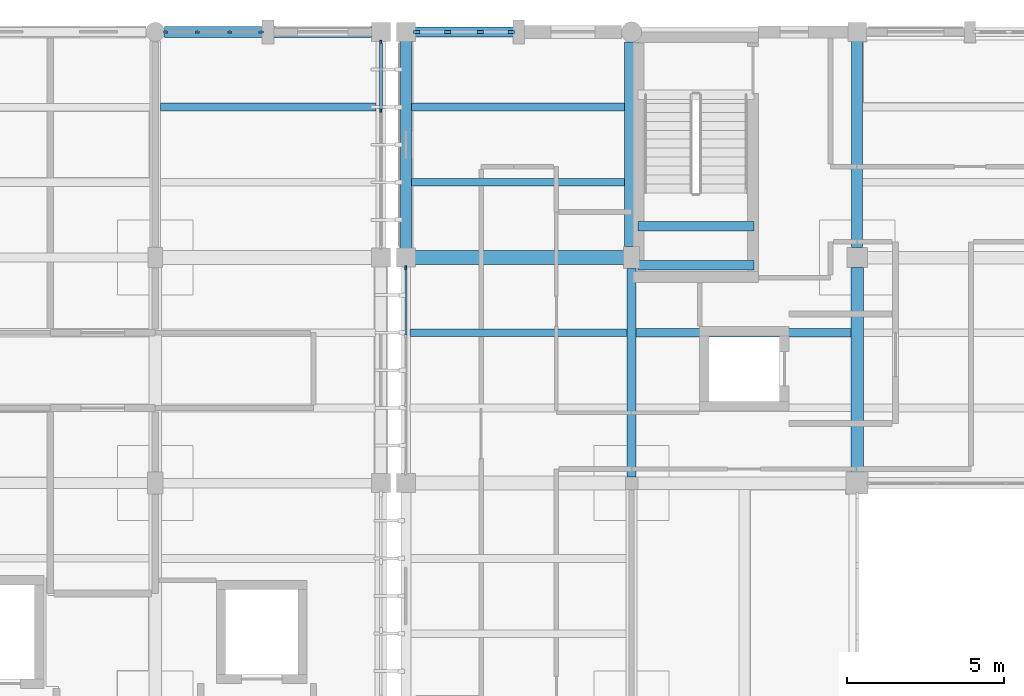
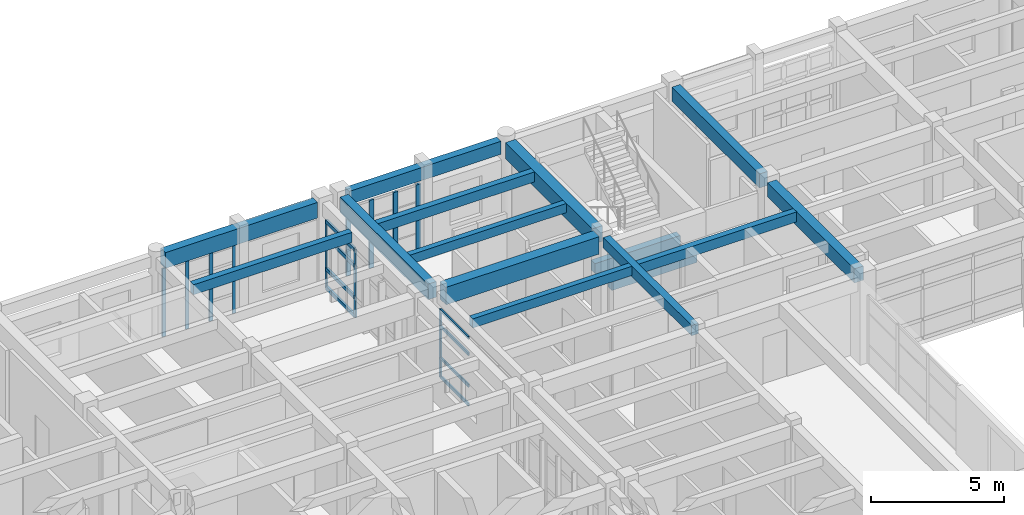
# One storey, part 23 of 100: 19 members, 15 beams, 4 elements without a shape of their own.
"""IFC4 building model written with IfcOpenShell, lengths in metres."""

from ifc_helpers import new_model, si_unit, direction, frame, origin, origin_2d, place, context, subcontext, project, spatial, rectangle, extrude, material, material_profile, profile_set, type_object, element, aggregate, save


model = new_model("IFC4")

# Units and contexts
model_context = context("Model", 3, precision=1e-05, world=origin(), true_north=direction((0.0, 1.0)))
body_context = subcontext(model_context, "Body", "Model", "MODEL_VIEW")
ifc_project = project(units=[si_unit("LENGTHUNIT", "METRE"), si_unit("AREAUNIT", "SQUARE_METRE"), si_unit("VOLUMEUNIT", "CUBIC_METRE"), si_unit("PLANEANGLEUNIT", "RADIAN"), si_unit("MASSUNIT", "GRAM", prefix="KILO")], contexts=[model_context])

# Site, building, storey
site_placement = place(None, origin())
site = spatial("IfcSite", under=ifc_project, at=site_placement, CompositionType="ELEMENT")
building_placement = place(site_placement, origin())
building = spatial("IfcBuilding", under=site, at=building_placement, Name="Steenspoor Specialist Clinic", CompositionType="ELEMENT")
storey_placement = place(building_placement, frame((0.0, 0.0, 9.0)))
storey = spatial("IfcBuildingStorey", under=building, at=storey_placement, Name="L02", CompositionType="ELEMENT", Elevation=9.0)

# Beams
ifc_material_1 = material(Name="Concrete C35/45", Category="concrete")
ifc_material_profile_1 = material_profile(ifc_material_1, rectangle(XDim=0.300048828125, YDim=0.47998046875, at=origin_2d()), Name="RC-BM-300X480")
ifc_profile_set_1 = profile_set([ifc_material_profile_1], Name="Concrete C35/45")
beam_type_1 = type_object("IfcBeamType", Name="BM-RC-300X480", PredefinedType="BEAM", material=ifc_profile_set_1)
for number, where, z_axis, x_axis, name in (
    (1, (59.800048828125, 102.14990234375, 1.659912109375), (1.0, 0.0, 0.0), (0.0, 1.0, 0.0), "Stair Mid-Landing Bearer 1 ST-V4A L02"),
    (2, (59.800048828125, 100.89990234375, 1.659912109375), (1.0, 0.0, 0.0), (0.0, 1.0, 0.0), "Stair Mid-Landing Bearer 2 ST-V4A L02"),
):
    element("IfcBeam", number, at=place(storey_placement, frame(where, z_axis=z_axis, x_axis=x_axis)), inside=storey, type_object=beam_type_1, Name=name, PredefinedType="BEAM", context=body_context, shape_type="SweptSolid", body=[
        extrude(rectangle(XDim=0.300048828125, YDim=0.47998046875, at=origin_2d()), origin(), (0.0, 0.0, 1.0), 3.699951171875),
    ])
beam_1_placement = place(storey_placement, frame((59.60009765625, 94.14501953125, 3.7099609375), z_axis=(0.0, 1.0, 0.0), x_axis=(-1.0, 0.0, 0.0)))
element("IfcBeam", 3, at=beam_1_placement, inside=storey, type_object=beam_type_1, Name="BM-V4-L02-Y0695", PredefinedType="BEAM", context=body_context, shape_type="SweptSolid", body=[
    extrude(rectangle(XDim=0.300048828125, YDim=0.47998046875, at=origin_2d()), origin(), (0.0, 0.0, 1.0), 6.659912109375),
])
ifc_material_profile_2 = material_profile(ifc_material_1, rectangle(XDim=0.35009765625, YDim=0.64990234375, at=origin_2d()), Name="RC-BM-350X650")
ifc_profile_set_2 = profile_set([ifc_material_profile_2], Name="Concrete C35/45")
beam_type_2 = type_object("IfcBeamType", Name="BM-RC-350X650", PredefinedType="BEAM", material=ifc_profile_set_2)
beam_2_placement = place(storey_placement, frame((66.800048828125, 101.469970703125, 3.625), z_axis=(0.0, 1.0, 0.0), x_axis=(-1.0, 0.0, 0.0)))
element("IfcBeam", 4, at=beam_2_placement, inside=storey, type_object=beam_type_2, Name="BM-V4-L02-Y0700", PredefinedType="BEAM", context=body_context, shape_type="SweptSolid", body=[
    extrude(rectangle(XDim=0.35009765625, YDim=0.64990234375, at=origin_2d()), origin(), (0.0, 0.0, 1.0), 6.5849609375),
])
ifc_material_profile_3 = material_profile(ifc_material_1, rectangle(XDim=0.39990234375, YDim=0.64990234375, at=origin_2d()), Name="RC-BM-400X650")
ifc_profile_set_3 = profile_set([ifc_material_profile_3], Name="Concrete C35/45")
beam_type_3 = type_object("IfcBeamType", Name="BM-RC-400X650", PredefinedType="BEAM", material=ifc_profile_set_3)
beam_3_placement = place(storey_placement, frame((66.800048828125, 94.294921875, 3.625), z_axis=(0.0, 1.0, 0.0), x_axis=(-1.0, 0.0, 0.0)))
element("IfcBeam", 5, at=beam_3_placement, inside=storey, type_object=beam_type_3, Name="BM-V4-L02-Y0699", PredefinedType="BEAM", context=body_context, shape_type="SweptSolid", body=[
    extrude(rectangle(XDim=0.39990234375, YDim=0.64990234375, at=origin_2d()), origin(), (0.0, 0.0, 1.0), 6.53515625),
])
ifc_material_profile_4 = material_profile(ifc_material_1, rectangle(XDim=0.449951171875, YDim=0.719970703125, at=origin_2d()), Name="RC-BM-450X720")
ifc_profile_set_4 = profile_set([ifc_material_profile_4], Name="Concrete C35/45")
beam_type_4 = type_object("IfcBeamType", Name="BM-RC-450X720", PredefinedType="BEAM", material=ifc_profile_set_4)
beam_4_placement = place(storey_placement, frame((59.60009765625, 101.4951171875, 3.590087890625), z_axis=(0.0, 1.0, 0.0), x_axis=(-1.0, 0.0, 0.0)))
element("IfcBeam", 6, at=beam_4_placement, inside=storey, type_object=beam_type_4, Name="BM-V4-L02-Y0696", PredefinedType="BEAM", context=body_context, shape_type="SweptSolid", body=[
    extrude(rectangle(XDim=0.449951171875, YDim=0.719970703125, at=origin_2d()), origin(), (0.0, 0.0, 1.0), 6.534912109375),
])
ifc_material_profile_5 = material_profile(ifc_material_1, rectangle(XDim=0.449951171875, YDim=0.800048828125, at=origin_2d()), Name="RC-BM-450X800")
ifc_profile_set_5 = profile_set([ifc_material_profile_5], Name="Concrete C35/45")
beam_type_5 = type_object("IfcBeamType", Name="BM-RC-450X800", PredefinedType="BEAM", material=ifc_profile_set_5)
beam_5_placement = place(storey_placement, frame((52.695068359375, 101.14990234375, 3.550048828125), z_axis=(1.0, 0.0, 0.0), x_axis=(0.0, 1.0, 0.0)))
element("IfcBeam", 7, at=beam_5_placement, inside=storey, type_object=beam_type_5, Name="BM-V4-L02-X0670", PredefinedType="BEAM", context=body_context, shape_type="SweptSolid", body=[
    extrude(rectangle(XDim=0.449951171875, YDim=0.800048828125, at=origin_2d()), origin(), (0.0, 0.0, 1.0), 6.659912109375),
])

# Curtain wall, member
ifc_material_2 = material(Name="Thermally broken aluminium and low-emissivity glass", Category="aluminium")
curtain_wall_type_1 = type_object("IfcCurtainWallType", Name="CW-TYP-650X355", PredefinedType="USERDEFINED", material=ifc_material_2)
curtain_wall_1_placement = place(storey_placement, origin())
curtain_wall_1 = element("IfcCurtainWall", 8, at=curtain_wall_1_placement, inside=storey, type_object=curtain_wall_type_1, Name="Unitised Curtain Wall CW-V4-L02-082", ObjectType="UNITISED GLAZING", PredefinedType="USERDEFINED")
ifc_material_3 = material(Name="Thermally broken aluminium 6063-T6", Category="aluminium")
ifc_material_profile_6 = material_profile(ifc_material_3, rectangle(XDim=0.06005859375, YDim=0.135009765625, at=origin_2d()), Name="CWM-60X135")
ifc_profile_set_6 = profile_set([ifc_material_profile_6], Name="Thermally broken aluminium 6063-T6")
member_type_1 = type_object("IfcMemberType", Name="CW-MULL-60X135", PredefinedType="MULLION", material=ifc_profile_set_6)
member_1_placement = place(storey_placement, frame((52.39990234375, 100.820068359375, 0.0), z_axis=(0.0, 0.0, 1.0), x_axis=(-1.0, 0.0, 0.0)))
member_1 = element("IfcMember", 9, at=member_1_placement, type_object=member_type_1, Name="CW-10 mullion 4", PredefinedType="MULLION", context=body_context, shape_type="SweptSolid", body=[
    extrude(rectangle(XDim=0.06005859375, YDim=0.135009765625, at=origin_2d()), origin(), (0.0, 0.0, 1.0), 3.1298828125),
])

# Curtain wall, members
curtain_wall_2_placement = place(storey_placement, origin())
curtain_wall_2 = element("IfcCurtainWall", 10, at=curtain_wall_2_placement, inside=storey, type_object=curtain_wall_type_1, Name="Unitised Curtain Wall CW-V5-L02-154", ObjectType="UNITISED GLAZING", PredefinedType="USERDEFINED")
member_2_placement = place(storey_placement, frame((51.60009765625, 108.02001953125, 0.0), z_axis=(0.0, 0.0, 1.0), x_axis=(1.0, 0.0, 0.0)))
member_2 = element("IfcMember", 11, at=member_2_placement, type_object=member_type_1, Name="CW-10 mullion 1", PredefinedType="MULLION", context=body_context, shape_type="SweptSolid", body=[
    extrude(rectangle(XDim=0.06005859375, YDim=0.135009765625, at=origin_2d()), origin(), (0.0, 0.0, 1.0), 3.1298828125),
])
member_3_placement = place(storey_placement, frame((51.60009765625, 105.85009765625, 0.0), z_axis=(0.0, 0.0, 1.0), x_axis=(1.0, 0.0, 0.0)))
member_3 = element("IfcMember", 12, at=member_3_placement, type_object=member_type_1, Name="CW-10 mullion 2", PredefinedType="MULLION", context=body_context, shape_type="SweptSolid", body=[
    extrude(rectangle(XDim=0.06005859375, YDim=0.135009765625, at=origin_2d()), origin(), (0.0, 0.0, 1.0), 3.1298828125),
])

curtain_wall_type_2 = type_object("IfcCurtainWallType", Name="CW-TYP-660X355", PredefinedType="USERDEFINED", material=ifc_material_2)
curtain_wall_3_placement = place(storey_placement, origin())
curtain_wall_3 = element("IfcCurtainWall", 13, at=curtain_wall_3_placement, inside=storey, type_object=curtain_wall_type_2, Name="Unitised Curtain Wall CW-V5-L02-153", ObjectType="UNITISED GLAZING", PredefinedType="USERDEFINED")
ifc_material_profile_7 = material_profile(ifc_material_3, rectangle(XDim=0.06494140625, YDim=0.14990234375, at=origin_2d()), Name="CWM-65X150")
ifc_profile_set_7 = profile_set([ifc_material_profile_7], Name="Thermally broken aluminium 6063-T6")
member_type_2 = type_object("IfcMemberType", Name="CW-MULL-65X150", PredefinedType="MULLION", material=ifc_profile_set_7)
member_4_placement = place(storey_placement, frame((44.732421875, 108.35009765625, 0.0), z_axis=(0.0, 0.0, 1.0), x_axis=(0.0, 1.0, 0.0)))
member_4 = element("IfcMember", 14, at=member_4_placement, type_object=member_type_2, Name="CW-09 mullion 1", PredefinedType="MULLION", context=body_context, shape_type="SweptSolid", body=[
    extrude(rectangle(XDim=0.06494140625, YDim=0.14990234375, at=origin_2d()), origin(), (0.0, 0.0, 1.0), 3.1298828125),
])
member_5_placement = place(storey_placement, frame((45.736572265625, 108.35009765625, 0.0), z_axis=(0.0, 0.0, 1.0), x_axis=(0.0, 1.0, 0.0)))
member_5 = element("IfcMember", 15, at=member_5_placement, type_object=member_type_2, Name="CW-09 mullion 2", PredefinedType="MULLION", context=body_context, shape_type="SweptSolid", body=[
    extrude(rectangle(XDim=0.06494140625, YDim=0.14990234375, at=origin_2d()), origin(), (0.0, 0.0, 1.0), 3.1298828125),
])
member_6_placement = place(storey_placement, frame((46.7734375, 108.35009765625, 0.0), z_axis=(0.0, 0.0, 1.0), x_axis=(0.0, 1.0, 0.0)))
member_6 = element("IfcMember", 16, at=member_6_placement, type_object=member_type_2, Name="CW-09 mullion 3", PredefinedType="MULLION", context=body_context, shape_type="SweptSolid", body=[
    extrude(rectangle(XDim=0.06494140625, YDim=0.14990234375, at=origin_2d()), origin(), (0.0, 0.0, 1.0), 3.1298828125),
])
member_7_placement = place(storey_placement, frame((47.777587890625, 108.35009765625, 0.0), z_axis=(0.0, 0.0, 1.0), x_axis=(0.0, 1.0, 0.0)))
member_7 = element("IfcMember", 17, at=member_7_placement, type_object=member_type_2, Name="CW-09 mullion 4", PredefinedType="MULLION", context=body_context, shape_type="SweptSolid", body=[
    extrude(rectangle(XDim=0.06494140625, YDim=0.14990234375, at=origin_2d()), origin(), (0.0, 0.0, 1.0), 3.1298828125),
])
aggregate(curtain_wall_3, [member_4, member_5, member_6, member_7])

curtain_wall_type_3 = type_object("IfcCurtainWallType", Name="CW-TYP-540X355", PredefinedType="USERDEFINED", material=ifc_material_2)
curtain_wall_4_placement = place(storey_placement, origin())
curtain_wall_4 = element("IfcCurtainWall", 18, at=curtain_wall_4_placement, inside=storey, type_object=curtain_wall_type_3, Name="Unitised Curtain Wall CW-V4-L02-083", ObjectType="UNITISED GLAZING", PredefinedType="USERDEFINED")
ifc_material_profile_8 = material_profile(ifc_material_3, rectangle(XDim=0.090087890625, YDim=0.199951171875, at=origin_2d()), Name="CWM-90X200")
ifc_profile_set_8 = profile_set([ifc_material_profile_8], Name="Thermally broken aluminium 6063-T6")
member_type_3 = type_object("IfcMemberType", Name="CW-MULL-90X200", PredefinedType="MULLION", material=ifc_profile_set_8)
member_8_placement = place(storey_placement, frame((52.7451171875, 108.35009765625, 0.0), z_axis=(0.0, 0.0, 1.0), x_axis=(0.0, 1.0, 0.0)))
member_8 = element("IfcMember", 19, at=member_8_placement, type_object=member_type_3, Name="CW-11 mullion 1", PredefinedType="MULLION", context=body_context, shape_type="SweptSolid", body=[
    extrude(rectangle(XDim=0.090087890625, YDim=0.199951171875, at=origin_2d()), origin(), (0.0, 0.0, 1.0), 3.1298828125),
])
member_9_placement = place(storey_placement, frame((53.736572265625, 108.35009765625, 0.0), z_axis=(0.0, 0.0, 1.0), x_axis=(0.0, 1.0, 0.0)))
member_9 = element("IfcMember", 20, at=member_9_placement, type_object=member_type_3, Name="CW-11 mullion 2", PredefinedType="MULLION", context=body_context, shape_type="SweptSolid", body=[
    extrude(rectangle(XDim=0.090087890625, YDim=0.199951171875, at=origin_2d()), origin(), (0.0, 0.0, 1.0), 3.1298828125),
])
member_10_placement = place(storey_placement, frame((54.7734375, 108.35009765625, 0.0), z_axis=(0.0, 0.0, 1.0), x_axis=(0.0, 1.0, 0.0)))
member_10 = element("IfcMember", 21, at=member_10_placement, type_object=member_type_3, Name="CW-11 mullion 3", PredefinedType="MULLION", context=body_context, shape_type="SweptSolid", body=[
    extrude(rectangle(XDim=0.090087890625, YDim=0.199951171875, at=origin_2d()), origin(), (0.0, 0.0, 1.0), 3.1298828125),
])
member_11_placement = place(storey_placement, frame((55.764892578125, 108.35009765625, 0.0), z_axis=(0.0, 0.0, 1.0), x_axis=(0.0, 1.0, 0.0)))
member_11 = element("IfcMember", 22, at=member_11_placement, type_object=member_type_3, Name="CW-11 mullion 4", PredefinedType="MULLION", context=body_context, shape_type="SweptSolid", body=[
    extrude(rectangle(XDim=0.090087890625, YDim=0.199951171875, at=origin_2d()), origin(), (0.0, 0.0, 1.0), 3.1298828125),
])
aggregate(curtain_wall_4, [member_8, member_9, member_10, member_11])

# Member
ifc_material_profile_9 = material_profile(ifc_material_3, rectangle(XDim=0.06494140625, YDim=0.1298828125, at=origin_2d()), Name="CWT-65X130")
ifc_profile_set_9 = profile_set([ifc_material_profile_9], Name="Thermally broken aluminium 6063-T6")
member_type_4 = type_object("IfcMemberType", Name="CW-TRAN-65X130", PredefinedType="USERDEFINED", material=ifc_profile_set_9)
member_12_placement = place(storey_placement, frame((52.39990234375, 98.679931640625, 0.032470703125), z_axis=(0.0, 1.0, 0.0), x_axis=(-1.0, 0.0, 0.0)))
member_12 = element("IfcMember", 23, at=member_12_placement, type_object=member_type_4, Name="CW-10 transom 3.1", ObjectType="TRANSOM", PredefinedType="USERDEFINED", context=body_context, shape_type="SweptSolid", body=[
    extrude(rectangle(XDim=0.06494140625, YDim=0.1298828125, at=origin_2d()), origin(), (0.0, 0.0, 1.0), 2.110107421875),
])

member_13_placement = place(storey_placement, frame((52.39990234375, 98.679931640625, 0.89990234375), z_axis=(0.0, 1.0, 0.0), x_axis=(-1.0, 0.0, 0.0)))
member_13 = element("IfcMember", 24, at=member_13_placement, type_object=member_type_4, Name="CW-10 transom 3.2", ObjectType="TRANSOM", PredefinedType="USERDEFINED", context=body_context, shape_type="SweptSolid", body=[
    extrude(rectangle(XDim=0.06494140625, YDim=0.1298828125, at=origin_2d()), origin(), (0.0, 0.0, 1.0), 2.110107421875),
])

member_14_placement = place(storey_placement, frame((52.39990234375, 98.679931640625, 2.35009765625), z_axis=(0.0, 1.0, 0.0), x_axis=(-1.0, 0.0, 0.0)))
member_14 = element("IfcMember", 25, at=member_14_placement, type_object=member_type_4, Name="CW-10 transom 3.3", ObjectType="TRANSOM", PredefinedType="USERDEFINED", context=body_context, shape_type="SweptSolid", body=[
    extrude(rectangle(XDim=0.06494140625, YDim=0.1298828125, at=origin_2d()), origin(), (0.0, 0.0, 1.0), 2.110107421875),
])

member_15_placement = place(storey_placement, frame((52.39990234375, 98.679931640625, 3.097412109375), z_axis=(0.0, 1.0, 0.0), x_axis=(-1.0, 0.0, 0.0)))
member_15 = element("IfcMember", 26, at=member_15_placement, type_object=member_type_4, Name="CW-10 transom 3.4", ObjectType="TRANSOM", PredefinedType="USERDEFINED", context=body_context, shape_type="SweptSolid", body=[
    extrude(rectangle(XDim=0.06494140625, YDim=0.1298828125, at=origin_2d()), origin(), (0.0, 0.0, 1.0), 2.110107421875),
])

aggregate(curtain_wall_1, [member_1, member_12, member_13, member_14, member_15])

ifc_material_profile_10 = material_profile(ifc_material_3, rectangle(XDim=0.090087890625, YDim=0.175048828125, at=origin_2d()), Name="CWT-90X175")
ifc_profile_set_10 = profile_set([ifc_material_profile_10], Name="Thermally broken aluminium 6063-T6")
member_type_5 = type_object("IfcMemberType", Name="CW-TRAN-90X175", PredefinedType="USERDEFINED", material=ifc_profile_set_10)
member_16_placement = place(storey_placement, frame((51.60009765625, 107.989990234375, 0.044921875), z_axis=(0.0, -1.0, 0.0), x_axis=(1.0, 0.0, 0.0)))
member_16 = element("IfcMember", 27, at=member_16_placement, type_object=member_type_5, Name="CW-10 transom 1.1", ObjectType="TRANSOM", PredefinedType="USERDEFINED", context=body_context, shape_type="SweptSolid", body=[
    extrude(rectangle(XDim=0.090087890625, YDim=0.175048828125, at=origin_2d()), origin(), (0.0, 0.0, 1.0), 2.110107421875),
])

member_17_placement = place(storey_placement, frame((51.60009765625, 107.989990234375, 0.89990234375), z_axis=(0.0, -1.0, 0.0), x_axis=(1.0, 0.0, 0.0)))
member_17 = element("IfcMember", 28, at=member_17_placement, type_object=member_type_5, Name="CW-10 transom 1.2", ObjectType="TRANSOM", PredefinedType="USERDEFINED", context=body_context, shape_type="SweptSolid", body=[
    extrude(rectangle(XDim=0.090087890625, YDim=0.175048828125, at=origin_2d()), origin(), (0.0, 0.0, 1.0), 2.110107421875),
])

member_18_placement = place(storey_placement, frame((51.60009765625, 107.989990234375, 2.35009765625), z_axis=(0.0, -1.0, 0.0), x_axis=(1.0, 0.0, 0.0)))
member_18 = element("IfcMember", 29, at=member_18_placement, type_object=member_type_5, Name="CW-10 transom 1.3", ObjectType="TRANSOM", PredefinedType="USERDEFINED", context=body_context, shape_type="SweptSolid", body=[
    extrude(rectangle(XDim=0.090087890625, YDim=0.175048828125, at=origin_2d()), origin(), (0.0, 0.0, 1.0), 2.110107421875),
])

member_19_placement = place(storey_placement, frame((51.60009765625, 107.989990234375, 3.0849609375), z_axis=(0.0, -1.0, 0.0), x_axis=(1.0, 0.0, 0.0)))
member_19 = element("IfcMember", 30, at=member_19_placement, type_object=member_type_5, Name="CW-10 transom 1.4", ObjectType="TRANSOM", PredefinedType="USERDEFINED", context=body_context, shape_type="SweptSolid", body=[
    extrude(rectangle(XDim=0.090087890625, YDim=0.175048828125, at=origin_2d()), origin(), (0.0, 0.0, 1.0), 2.110107421875),
])

aggregate(curtain_wall_2, [member_2, member_3, member_16, member_17, member_18, member_19])

# Beams
ifc_material_profile_11 = material_profile(ifc_material_1, rectangle(XDim=0.239990234375, YDim=0.419921875, at=origin_2d()), Name="RC-JT-240X420")
ifc_profile_set_11 = profile_set([ifc_material_profile_11], Name="Concrete C35/45")
beam_type_6 = type_object("IfcBeamType", Name="JT-RC-240X420", PredefinedType="JOIST", material=ifc_profile_set_11)
beam_6_placement = place(storey_placement, frame((52.534912109375, 98.75, 3.739990234375), z_axis=(1.0, 0.0, 0.0), x_axis=(0.0, 1.0, 0.0)))
element("IfcBeam", 31, at=beam_6_placement, inside=storey, type_object=beam_type_6, Name="JT-V4-L02-0746", PredefinedType="JOIST", context=body_context, shape_type="SweptSolid", body=[
    extrude(rectangle(XDim=0.239990234375, YDim=0.419921875, at=origin_2d()), origin(), (0.0, 0.0, 1.0), 6.920166015625),
])
beam_7_placement = place(storey_placement, frame((52.574951171875, 103.550048828125, 3.739990234375), z_axis=(1.0, 0.0, 0.0), x_axis=(0.0, 1.0, 0.0)))
element("IfcBeam", 32, at=beam_7_placement, inside=storey, type_object=beam_type_6, Name="JT-V4-L02-0747", PredefinedType="JOIST", context=body_context, shape_type="SweptSolid", body=[
    extrude(rectangle(XDim=0.239990234375, YDim=0.419921875, at=origin_2d()), origin(), (0.0, 0.0, 1.0), 6.804931640625),
])
ifc_material_profile_12 = material_profile(ifc_material_1, rectangle(XDim=0.260009765625, YDim=0.4599609375, at=origin_2d()), Name="RC-JT-260X460")
ifc_profile_set_12 = profile_set([ifc_material_profile_12], Name="Concrete C35/45")
beam_type_7 = type_object("IfcBeamType", Name="JT-RC-260X460", PredefinedType="JOIST", material=ifc_profile_set_12)
beam_8_placement = place(storey_placement, frame((52.574951171875, 105.949951171875, 3.719970703125), z_axis=(1.0, 0.0, 0.0), x_axis=(0.0, 1.0, 0.0)))
element("IfcBeam", 33, at=beam_8_placement, inside=storey, type_object=beam_type_7, Name="JT-V4-L02-0748", PredefinedType="JOIST", context=body_context, shape_type="SweptSolid", body=[
    extrude(rectangle(XDim=0.260009765625, YDim=0.4599609375, at=origin_2d()), origin(), (0.0, 0.0, 1.0), 6.804931640625),
])
beam_9_placement = place(storey_placement, frame((59.7451171875, 98.75, 3.719970703125), z_axis=(1.0, 0.0, 0.0), x_axis=(0.0, 1.0, 0.0)))
element("IfcBeam", 34, at=beam_9_placement, inside=storey, type_object=beam_type_7, Name="JT-V4-L02-0755", PredefinedType="JOIST", context=body_context, shape_type="SweptSolid", body=[
    extrude(rectangle(XDim=0.260009765625, YDim=0.4599609375, at=origin_2d()), origin(), (0.0, 0.0, 1.0), 6.85986328125),
])
beam_10_placement = place(storey_placement, frame((44.570068359375, 105.949951171875, 3.719970703125), z_axis=(1.0, 0.0, 0.0), x_axis=(0.0, 1.0, 0.0)))
element("IfcBeam", 35, at=beam_10_placement, inside=storey, type_object=beam_type_7, Name="JT-V5-L02-1335", PredefinedType="JOIST", context=body_context, shape_type="SweptSolid", body=[
    extrude(rectangle(XDim=0.260009765625, YDim=0.4599609375, at=origin_2d()), origin(), (0.0, 0.0, 1.0), 6.875),
])
ifc_material_profile_13 = material_profile(ifc_material_1, rectangle(XDim=0.320068359375, YDim=0.60009765625, at=origin_2d()), Name="RC-SP-320X600")
ifc_profile_set_13 = profile_set([ifc_material_profile_13], Name="Concrete C35/45")
beam_type_8 = type_object("IfcBeamType", Name="SP-RC-320X600", PredefinedType="SPANDREL", material=ifc_profile_set_13)
beam_11_placement = place(storey_placement, frame((52.695068359375, 108.35009765625, 3.64990234375), z_axis=(1.0, 0.0, 0.0), x_axis=(0.0, 1.0, 0.0)))
element("IfcBeam", 36, at=beam_11_placement, inside=storey, type_object=beam_type_8, Name="BM-V4-L02-X0676", PredefinedType="SPANDREL", context=body_context, shape_type="SweptSolid", body=[
    extrude(rectangle(XDim=0.320068359375, YDim=0.60009765625, at=origin_2d()), origin(), (0.0, 0.0, 1.0), 6.5849609375),
])
ifc_material_profile_14 = material_profile(ifc_material_1, rectangle(XDim=0.360107421875, YDim=0.719970703125, at=origin_2d()), Name="RC-SP-360X720")
ifc_profile_set_14 = profile_set([ifc_material_profile_14], Name="Concrete C35/45")
beam_type_9 = type_object("IfcBeamType", Name="SP-RC-360X720", PredefinedType="SPANDREL", material=ifc_profile_set_14)
for number, where, z_axis, x_axis, name in (
    (37, (52.39990234375, 101.445068359375, 3.590087890625), (0.0, 1.0, 0.0), (-1.0, 0.0, 0.0), "BM-V4-L02-Y0690"),
    (38, (44.695068359375, 108.35009765625, 3.590087890625), (1.0, 0.0, 0.0), (0.0, 1.0, 0.0), "BM-V5-L02-X1269"),
):
    element("IfcBeam", number, at=place(storey_placement, frame(where, z_axis=z_axis, x_axis=x_axis)), inside=storey, type_object=beam_type_9, Name=name, PredefinedType="SPANDREL", context=body_context, shape_type="SweptSolid", body=[
        extrude(rectangle(XDim=0.360107421875, YDim=0.719970703125, at=origin_2d()), origin(), (0.0, 0.0, 1.0), 6.60986328125),
    ])

save(model, "model.ifc")
